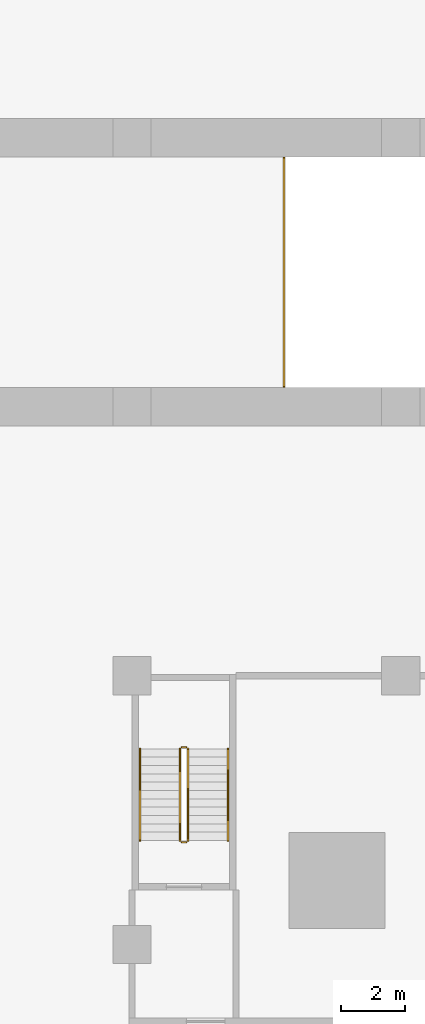
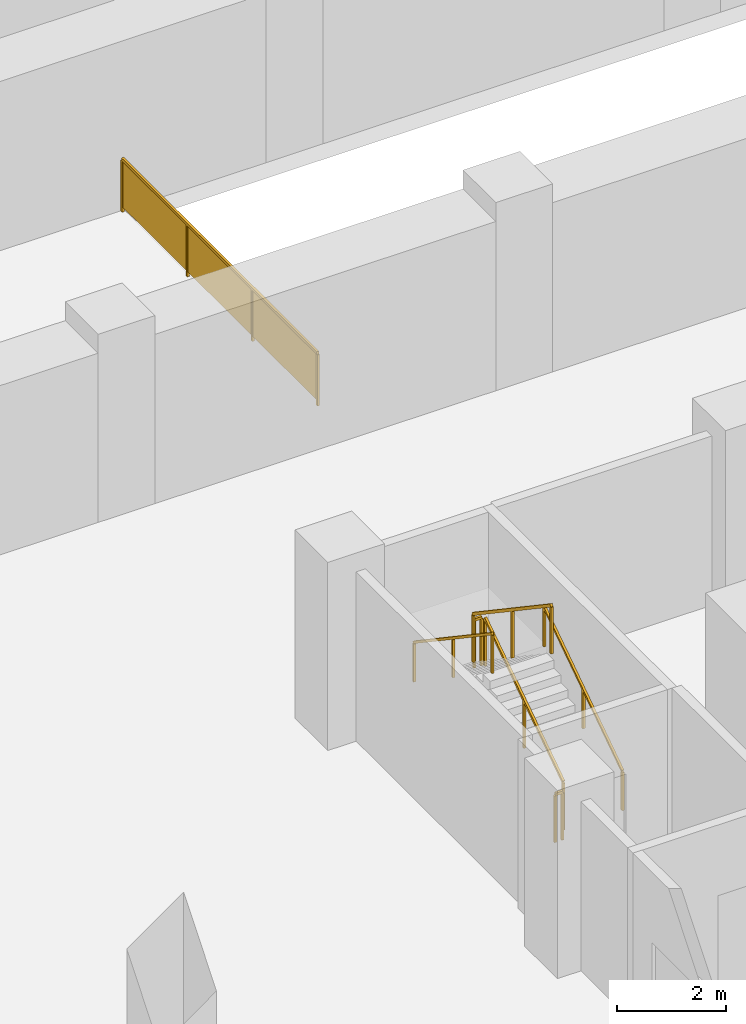
# One storey, part 15 of 16: 7 railings.
"""IFC4 building model written with IfcOpenShell, lengths in metres."""

from ifc_helpers import new_model, si_unit, direction, frame, origin, origin_2d, place, context, subcontext, project, spatial, rectangle, extrude, material, type_object, element, save


model = new_model("IFC4")

# Units and contexts
model_context = context("Model", 3, precision=1e-05, world=origin(), true_north=direction((0.0, 1.0)))
body_context = subcontext(model_context, "Body", "Model", "MODEL_VIEW")
ifc_project = project(units=[si_unit("LENGTHUNIT", "METRE"), si_unit("AREAUNIT", "SQUARE_METRE"), si_unit("VOLUMEUNIT", "CUBIC_METRE"), si_unit("PLANEANGLEUNIT", "RADIAN"), si_unit("MASSUNIT", "GRAM", prefix="KILO")], contexts=[model_context])

# Site, building, storey
site_placement = place(None, origin())
site = spatial("IfcSite", under=ifc_project, at=site_placement, CompositionType="ELEMENT")
building_placement = place(site_placement, origin())
building = spatial("IfcBuilding", under=site, at=building_placement, Name="Khepri Terraces", CompositionType="ELEMENT")
storey_placement = place(building_placement, frame((0.0, 0.0, -4.199951171875)))
storey = spatial("IfcBuildingStorey", under=building, at=storey_placement, Name="B1", CompositionType="ELEMENT", Elevation=-4.199951171875)

# Railings
ifc_material_1 = material(Name="Stainless steel grade 316", Category="steel")
railing_type_1 = type_object("IfcRailingType", Name="GRD-RAMP-1200", PredefinedType="GUARDRAIL", material=ifc_material_1)
railing_1_placement = place(storey_placement, frame((-20.449951171875, 34.22998046875, 0.0)))
element("IfcRailing", 1, at=railing_1_placement, inside=storey, type_object=railing_type_1, Name="Ramp opening guard B1", PredefinedType="GUARDRAIL", context=body_context, shape_type="SweptSolid", body=[
    extrude(rectangle(XDim=0.050048828125, YDim=0.06005859375, at=origin_2d()), frame((0.0, 0.0, 1.169921875), z_axis=(0.0, 1.0, 0.0), x_axis=(-1.0, 0.0, 0.0)), (0.0, 0.0, 1.0), 7.14013671875),
    extrude(rectangle(XDim=2.330078125, YDim=0.011962890625, at=origin_2d()), frame((0.0, 1.18994140625, 0.10009765625), z_axis=(0.0, 0.0, 1.0), x_axis=(0.0, 1.0, 0.0)), (0.0, 0.0, 1.0), 1.039794921875),
    extrude(rectangle(XDim=2.330078125, YDim=0.011962890625, at=origin_2d()), frame((0.0, 3.570068359375, 0.10009765625), z_axis=(0.0, 0.0, 1.0), x_axis=(0.0, 1.0, 0.0)), (0.0, 0.0, 1.0), 1.039794921875),
    extrude(rectangle(XDim=2.330078125, YDim=0.011962890625, at=origin_2d()), frame((0.0, 5.9501953125, 0.10009765625), z_axis=(0.0, 0.0, 1.0), x_axis=(0.0, 1.0, 0.0)), (0.0, 0.0, 1.0), 1.039794921875),
    extrude(rectangle(XDim=0.050048828125, YDim=0.050048828125, at=origin_2d()), origin(), (0.0, 0.0, 1.0), 1.139892578125),
    extrude(rectangle(XDim=0.050048828125, YDim=0.050048828125, at=origin_2d()), frame((0.0, 2.380126953125, 0.0)), (0.0, 0.0, 1.0), 1.139892578125),
    extrude(rectangle(XDim=0.050048828125, YDim=0.050048828125, at=origin_2d()), frame((0.0, 4.760009765625, 0.0)), (0.0, 0.0, 1.0), 1.139892578125),
    extrude(rectangle(XDim=0.050048828125, YDim=0.050048828125, at=origin_2d()), frame((0.0, 7.14013671875, 0.0)), (0.0, 0.0, 1.0), 1.139892578125),
])
ifc_material_2 = material(Name="Stainless steel 316", Category="steel")
railing_type_2 = type_object("IfcRailingType", Name="RL-POD-GUARD", PredefinedType="GUARDRAIL", material=ifc_material_2)
railing_2_placement = place(storey_placement, frame((-23.449951171875, 20.050048828125, 0.175048828125)))
element("IfcRailing", 2, at=railing_2_placement, inside=storey, type_object=railing_type_2, Name="B1 PS-2 stair guard 1", PredefinedType="GUARDRAIL", context=body_context, shape_type="SweptSolid", body=[
    extrude(rectangle(XDim=0.050048828125, YDim=0.06005859375, at=origin_2d()), frame((0.0, 0.0, 1.070068359375), z_axis=(0.0, 0.829601626839, 0.558355747482), x_axis=(-1.0, 0.0, 0.0)), (0.0, 0.0, 1.0), 3.447265625),
    extrude(rectangle(XDim=0.050048828125, YDim=0.050048828125, at=origin_2d()), origin(), (0.0, 0.0, 1.0), 1.0400390625),
    extrude(rectangle(XDim=0.050048828125, YDim=0.050048828125, at=origin_2d()), frame((0.0, 1.429931640625, 0.96240234375)), (0.0, 0.0, 1.0), 1.0400390625),
    extrude(rectangle(XDim=0.050048828125, YDim=0.050048828125, at=origin_2d()), frame((0.0, 2.85986328125, 1.9248046875)), (0.0, 0.0, 1.0), 1.0400390625),
])
railing_3_placement = place(storey_placement, frame((-23.5, 22.9599609375, 2.099853515625)))
element("IfcRailing", 3, at=railing_3_placement, inside=storey, type_object=railing_type_2, Name="B1 PS-2 stair guard 2", PredefinedType="GUARDRAIL", context=body_context, shape_type="SweptSolid", body=[
    extrude(rectangle(XDim=0.050048828125, YDim=0.06005859375, at=origin_2d()), frame((0.0, 0.0, 1.070068359375), z_axis=(-1.0, 0.0, 0.0), x_axis=(0.0, -1.0, 0.0)), (0.0, 0.0, 1.0), 0.14990234375),
    extrude(rectangle(XDim=0.050048828125, YDim=0.050048828125, at=origin_2d()), origin(), (0.0, 0.0, 1.0), 1.0400390625),
    extrude(rectangle(XDim=0.050048828125, YDim=0.050048828125, at=origin_2d()), frame((-0.14990234375, 0.0, 0.0)), (0.0, 0.0, 1.0), 1.0400390625),
])
railing_4_placement = place(storey_placement, frame((-23.699951171875, 22.909912109375, 2.27490234375)))
element("IfcRailing", 4, at=railing_4_placement, inside=storey, type_object=railing_type_2, Name="B1 PS-2 stair guard 3", PredefinedType="GUARDRAIL", context=body_context, shape_type="SweptSolid", body=[
    extrude(rectangle(XDim=0.050048828125, YDim=0.06005859375, at=origin_2d()), frame((0.0, 0.0, 1.070068359375), z_axis=(0.0, -0.829568821333, 0.558404486615), x_axis=(1.0, 0.0, 0.0)), (0.0, 0.0, 1.0), 3.447509765625),
    extrude(rectangle(XDim=0.050048828125, YDim=0.050048828125, at=origin_2d()), origin(), (0.0, 0.0, 1.0), 1.0400390625),
    extrude(rectangle(XDim=0.050048828125, YDim=0.050048828125, at=origin_2d()), frame((0.0, -1.429931640625, 0.96240234375)), (0.0, 0.0, 1.0), 1.0400390625),
    extrude(rectangle(XDim=0.050048828125, YDim=0.050048828125, at=origin_2d()), frame((0.0, -2.85986328125, 1.925048828125)), (0.0, 0.0, 1.0), 1.0400390625),
])
railing_5_placement = place(storey_placement, frame((-23.5, 20.0, 0.0)))
element("IfcRailing", 5, at=railing_5_placement, inside=storey, type_object=railing_type_2, Name="B1 PS-2 stair guard 4", PredefinedType="GUARDRAIL", context=body_context, shape_type="SweptSolid", body=[
    extrude(rectangle(XDim=0.050048828125, YDim=0.06005859375, at=origin_2d()), frame((0.0, 0.0, 1.070068359375), z_axis=(-1.0, 0.0, 0.0), x_axis=(0.0, -1.0, 0.0)), (0.0, 0.0, 1.0), 0.14990234375),
    extrude(rectangle(XDim=0.050048828125, YDim=0.050048828125, at=origin_2d()), origin(), (0.0, 0.0, 1.0), 1.0400390625),
    extrude(rectangle(XDim=0.050048828125, YDim=0.050048828125, at=origin_2d()), frame((-0.14990234375, 0.0, 0.0)), (0.0, 0.0, 1.0), 1.0400390625),
])
railing_type_3 = type_object("IfcRailingType", Name="RL-POD-HANDRAIL", PredefinedType="HANDRAIL", material=ifc_material_2)
railing_6_placement = place(storey_placement, frame((-22.199951171875, 20.050048828125, 0.175048828125)))
element("IfcRailing", 6, at=railing_6_placement, inside=storey, type_object=railing_type_3, Name="B1 PS-2 stair handrail 1", PredefinedType="HANDRAIL", context=body_context, shape_type="SweptSolid", body=[
    extrude(rectangle(XDim=0.050048828125, YDim=0.050048828125, at=origin_2d()), frame((0.0, 0.0, 0.875), z_axis=(0.0, 0.829601626839, 0.558355747482), x_axis=(-1.0, 0.0, 0.0)), (0.0, 0.0, 1.0), 3.447265625),
    extrude(rectangle(XDim=0.050048828125, YDim=0.050048828125, at=origin_2d()), origin(), (0.0, 0.0, 1.0), 0.849853515625),
    extrude(rectangle(XDim=0.050048828125, YDim=0.050048828125, at=origin_2d()), frame((0.0, 1.429931640625, 0.96240234375)), (0.0, 0.0, 1.0), 0.849853515625),
    extrude(rectangle(XDim=0.050048828125, YDim=0.050048828125, at=origin_2d()), frame((0.0, 2.85986328125, 1.9248046875)), (0.0, 0.0, 1.0), 0.849853515625),
])
railing_7_placement = place(storey_placement, frame((-24.949951171875, 22.909912109375, 2.27490234375)))
element("IfcRailing", 7, at=railing_7_placement, inside=storey, type_object=railing_type_3, Name="B1 PS-2 stair handrail 2", PredefinedType="HANDRAIL", context=body_context, shape_type="SweptSolid", body=[
    extrude(rectangle(XDim=0.050048828125, YDim=0.050048828125, at=origin_2d()), frame((0.0, 0.0, 0.875), z_axis=(0.0, -0.829568821333, 0.558404486615), x_axis=(1.0, 0.0, 0.0)), (0.0, 0.0, 1.0), 3.447509765625),
    extrude(rectangle(XDim=0.050048828125, YDim=0.050048828125, at=origin_2d()), origin(), (0.0, 0.0, 1.0), 0.849853515625),
    extrude(rectangle(XDim=0.050048828125, YDim=0.050048828125, at=origin_2d()), frame((0.0, -1.429931640625, 0.96240234375)), (0.0, 0.0, 1.0), 0.849853515625),
    extrude(rectangle(XDim=0.050048828125, YDim=0.050048828125, at=origin_2d()), frame((0.0, -2.85986328125, 1.925048828125)), (0.0, 0.0, 1.0), 0.849853515625),
])

save(model, "model.ifc")
